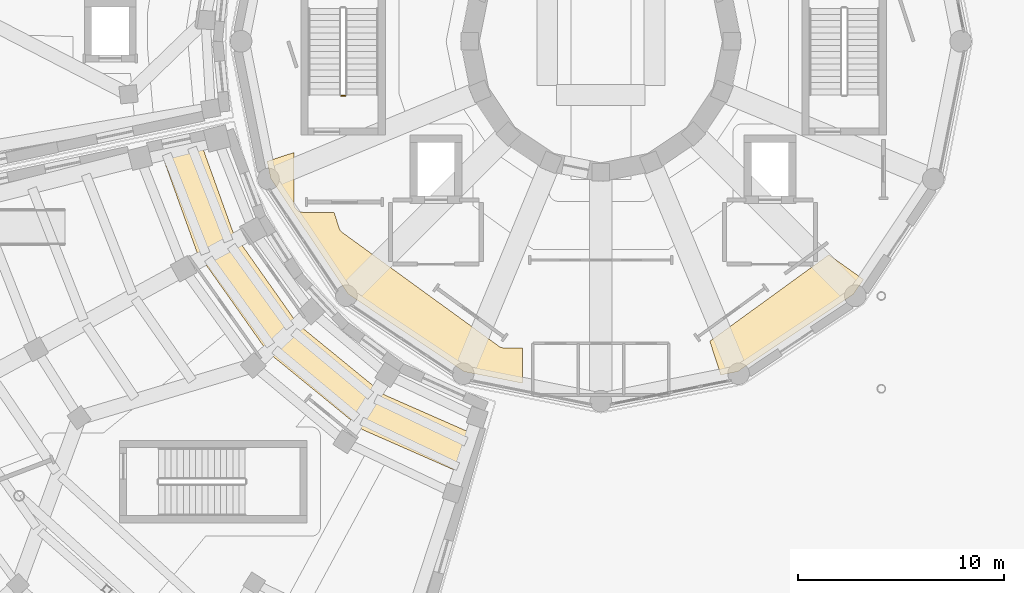
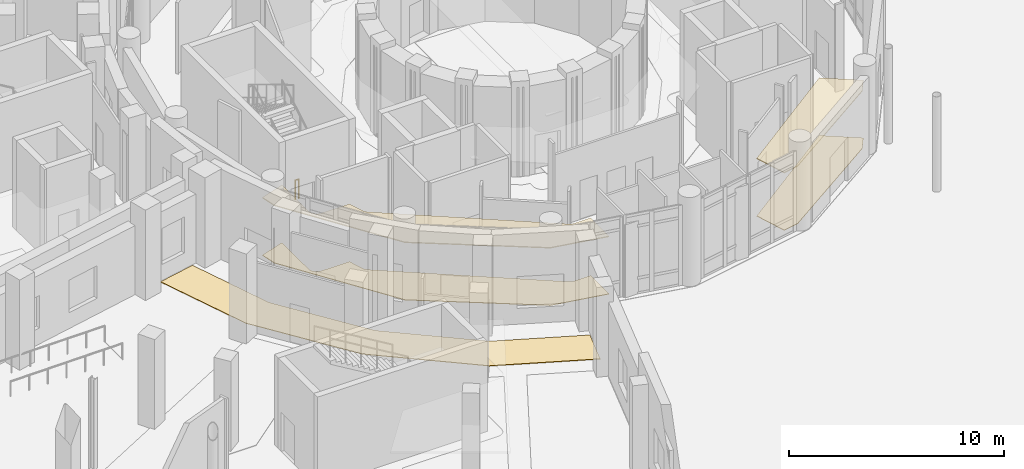
# One storey, part 60 of 74: 5 coverings, 1 railing.
"""IFC4 building model written with IfcOpenShell, lengths in metres."""

from ifc_helpers import new_model, si_unit, direction, frame, origin, origin_2d, place, context, subcontext, project, spatial, polyline, circle, outline, extrude, material, layer, layer_set, type_object, element, save


model = new_model("IFC4")

# Units and contexts
model_context = context("Model", 3, precision=1e-05, world=origin(), true_north=direction((0.0, 1.0)))
body_context = subcontext(model_context, "Body", "Model", "MODEL_VIEW")
ifc_project = project(units=[si_unit("LENGTHUNIT", "METRE"), si_unit("AREAUNIT", "SQUARE_METRE"), si_unit("VOLUMEUNIT", "CUBIC_METRE"), si_unit("PLANEANGLEUNIT", "RADIAN"), si_unit("MASSUNIT", "GRAM", prefix="KILO")], contexts=[model_context])

# Site, building, storey
site_placement = place(None, origin())
site = spatial("IfcSite", under=ifc_project, at=site_placement, CompositionType="ELEMENT")
building_placement = place(site_placement, origin())
building = spatial("IfcBuilding", under=site, at=building_placement, Name="Soyqirgoq Riverine Aquarium", CompositionType="ELEMENT")
storey_placement = place(building_placement, origin())
storey = spatial("IfcBuildingStorey", under=building, at=storey_placement, Name="L01", CompositionType="ELEMENT", Elevation=0.0)

# Coverings
ifc_material_1 = material(Name="Perforated mineral-fibre acoustic ceiling", Category="gypsum")
ifc_layer_1 = layer(ifc_material_1, 0.050048828125)
ifc_layer_set_1 = layer_set([ifc_layer_1], Name="Perforated mineral-fibre acoustic ceiling")
covering_type_1 = type_object("IfcCoveringType", Name="AcousticBaffleCeiling_50", PredefinedType="CEILING", material=ifc_layer_set_1)
covering_1_placement = place(storey_placement, frame((0.0, 0.0, 3.25)))
element("IfcCovering", 1, at=covering_1_placement, inside=storey, type_object=covering_type_1, Name="Ocean Tank Viewing Hall Suspended Ceiling", PredefinedType="CEILING", context=body_context, shape_type="SweptSolid", body=[
    extrude(outline(polyline([(52.18994140625, 40.4208984375), (49.364990234375, 40.98193359375), (43.740966796875, 44.740966796875), (39.98193359375, 50.364990234375), (39.819091796875, 51.18505859375), (41.110107421875, 51.60498046875), (41.110107421875, 49.159912109375), (41.112060546875, 49.115966796875), (41.118896484375, 49.072021484375), (41.12890625, 49.029052734375), (41.14404296875, 48.988037109375), (41.1630859375, 48.947998046875), (41.18603515625, 48.909912109375), (41.2119140625, 48.875), (41.241943359375, 48.842041015625), (41.27490234375, 48.81201171875), (41.31005859375, 48.785888671875), (41.347900390625, 48.762939453125), (41.387939453125, 48.743896484375), (41.428955078125, 48.72900390625), (41.471923828125, 48.718994140625), (41.51611328125, 48.7119140625), (41.56005859375, 48.7099609375), (43.056884765625, 48.7099609375), (43.304931640625, 47.947998046875), (43.322021484375, 47.904052734375), (43.343017578125, 47.862060546875), (43.368896484375, 47.822998046875), (43.39794921875, 47.785888671875), (43.431884765625, 47.7529296875), (43.468017578125, 47.722900390625), (51.050048828125, 42.215087890625), (51.089111328125, 42.18896484375), (51.131103515625, 42.16796875), (51.175048828125, 42.15087890625), (51.220947265625, 42.138916015625), (51.26708984375, 42.131103515625), (51.31396484375, 42.12890625), (52.18994140625, 42.12890625), (52.18994140625, 40.4208984375)])), origin(), (0.0, 0.0, 1.0), 0.050048828125),
])
covering_2_placement = place(storey_placement, frame((0.0, 0.0, 3.25)))
element("IfcCovering", 2, at=covering_2_placement, inside=storey, type_object=covering_type_1, Name="Benthic Reef Viewing Gallery Suspended Ceiling", PredefinedType="CEILING", context=body_context, shape_type="SweptSolid", body=[
    extrude(outline(polyline([(68.259033203125, 44.740966796875), (62.635009765625, 40.98193359375), (61.81494140625, 40.819091796875), (61.282958984375, 42.45703125), (67.053955078125, 46.64892578125), (68.73291015625, 45.449951171875), (68.259033203125, 44.740966796875)])), origin(), (0.0, 0.0, 1.0), 0.050048828125),
])

# Railing
ifc_material_2 = material(Name="Painted steel infill stair-well guardrail", Category="steel")
railing_type = type_object("IfcRailingType", Name="StairWellGuard_1120", PredefinedType="GUARDRAIL", material=ifc_material_2)
railing_placement = place(storey_placement, frame((43.60009765625, 54.35009765625, 0.0)))
element("IfcRailing", 3, at=railing_placement, inside=storey, type_object=railing_type, Name="L01 ST-9 stair guard 4", PredefinedType="GUARDRAIL", context=body_context, shape_type="SweptSolid", body=[
    extrude(circle(Radius=0.02392578125, at=origin_2d()), frame((0.0, 0.0, 1.09619140625), z_axis=(-1.0, 0.0, 0.0), x_axis=(0.0, -1.0, 0.0)), (0.0, 0.0, 1.0), 0.2001953125),
    extrude(circle(Radius=0.02099609375, at=origin_2d()), origin(), (0.0, 0.0, 1.0), 1.072021484375),
    extrude(circle(Radius=0.02099609375, at=origin_2d()), frame((-0.2001953125, 0.0, 0.0)), (0.0, 0.0, 1.0), 1.072021484375),
])

# Coverings
ifc_material_3 = material(Name="Polished Chirchiq river-pebble terrazzo flooring", Category="concrete")
ifc_layer_2 = layer(ifc_material_3, 0.030029296875)
ifc_layer_set_2 = layer_set([ifc_layer_2], Name="Polished Chirchiq river-pebble terrazzo flooring")
covering_type_2 = type_object("IfcCoveringType", Name="TerrazzoFloorFinish_30", PredefinedType="FLOORING", material=ifc_layer_set_2)
covering_3_placement = place(storey_placement, origin())
element("IfcCovering", 4, at=covering_3_placement, inside=storey, type_object=covering_type_2, Name="Ocean Tank Viewing Hall Floor Finish", PredefinedType="FLOORING", context=body_context, shape_type="SweptSolid", body=[
    extrude(outline(polyline([(52.18994140625, 40.4208984375), (49.364990234375, 40.98193359375), (43.740966796875, 44.740966796875), (39.98193359375, 50.364990234375), (39.819091796875, 51.18505859375), (41.110107421875, 51.60498046875), (41.110107421875, 49.159912109375), (41.112060546875, 49.115966796875), (41.118896484375, 49.072021484375), (41.12890625, 49.029052734375), (41.14404296875, 48.988037109375), (41.1630859375, 48.947998046875), (41.18603515625, 48.909912109375), (41.2119140625, 48.875), (41.241943359375, 48.842041015625), (41.27490234375, 48.81201171875), (41.31005859375, 48.785888671875), (41.347900390625, 48.762939453125), (41.387939453125, 48.743896484375), (41.428955078125, 48.72900390625), (41.471923828125, 48.718994140625), (41.51611328125, 48.7119140625), (41.56005859375, 48.7099609375), (43.056884765625, 48.7099609375), (43.304931640625, 47.947998046875), (43.322021484375, 47.904052734375), (43.343017578125, 47.862060546875), (43.368896484375, 47.822998046875), (43.39794921875, 47.785888671875), (43.431884765625, 47.7529296875), (43.468017578125, 47.722900390625), (51.050048828125, 42.215087890625), (51.089111328125, 42.18896484375), (51.131103515625, 42.16796875), (51.175048828125, 42.15087890625), (51.220947265625, 42.138916015625), (51.26708984375, 42.131103515625), (51.31396484375, 42.12890625), (52.18994140625, 42.12890625), (52.18994140625, 40.4208984375)])), origin(), (0.0, 0.0, 1.0), 0.030029296875),
])
covering_4_placement = place(storey_placement, origin())
element("IfcCovering", 5, at=covering_4_placement, inside=storey, type_object=covering_type_2, Name="Benthic Reef Viewing Gallery Floor Finish", PredefinedType="FLOORING", context=body_context, shape_type="SweptSolid", body=[
    extrude(outline(polyline([(68.259033203125, 44.740966796875), (62.635009765625, 40.98193359375), (61.81494140625, 40.819091796875), (61.282958984375, 42.45703125), (67.053955078125, 46.64892578125), (68.73291015625, 45.449951171875), (68.259033203125, 44.740966796875)])), origin(), (0.0, 0.0, 1.0), 0.030029296875),
])
covering_5_placement = place(storey_placement, origin())
element("IfcCovering", 6, at=covering_5_placement, inside=storey, type_object=covering_type_2, Name="V2 Gallery Circulation Corridor Floor Finish", PredefinedType="FLOORING", context=body_context, shape_type="SweptSolid", body=[
    extrude(outline(polyline([(49.20703125, 36.069091796875), (44.455078125, 38.159912109375), (39.840087890625, 41.930908203125), (36.40087890625, 46.797119140625), (34.64599609375, 51.68408203125), (36.593994140625, 52.097900390625), (38.14697265625, 47.77490234375), (38.162109375, 47.737060546875), (38.180908203125, 47.700927734375), (38.202880859375, 47.6669921875), (41.260986328125, 43.339111328125), (41.285888671875, 43.306884765625), (41.31396484375, 43.277099609375), (41.343994140625, 43.25), (45.447998046875, 39.89697265625), (45.48095703125, 39.873046875), (45.514892578125, 39.85205078125), (45.552001953125, 39.833984375), (49.756103515625, 37.98388671875), (49.20703125, 36.069091796875)])), origin(), (0.0, 0.0, 1.0), 0.030029296875),
])

save(model, "model.ifc")
